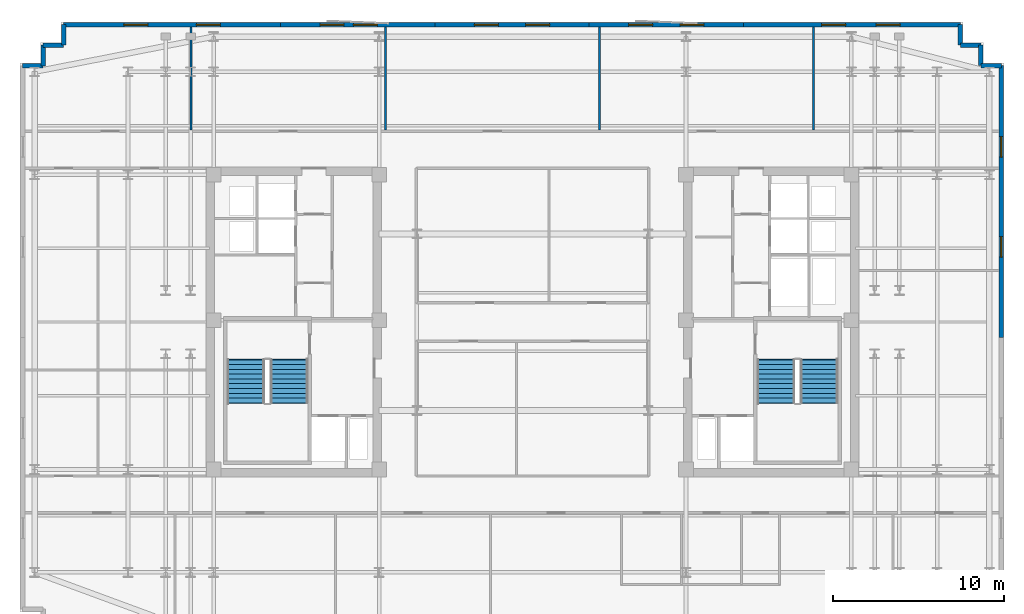
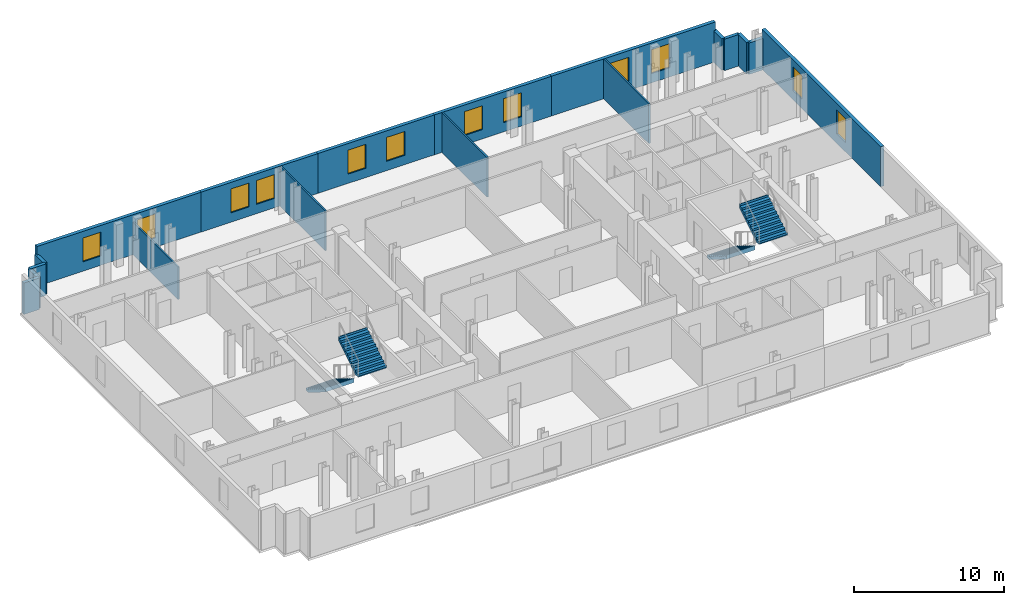
# One storey, part 7 of 9: 18 walls, 12 windows, 4 stair flights, 12 openings, 2 elements without a shape of their own.
"""IFC4 building model written with IfcOpenShell, lengths in metres."""

from ifc_helpers import new_model, si_unit, direction, frame, frame_2d, origin, place, context, subcontext, project, spatial, polyline, rectangle, outline, extrude, material, layer, layer_set, type_object, element, fill, aggregate, save


model = new_model("IFC4")

# Units and contexts
model_context = context("Model", 3, precision=1e-05, world=origin(), true_north=direction((0.0, 1.0)))
body_context = subcontext(model_context, "Body", "Model", "MODEL_VIEW")
ifc_project = project(units=[si_unit("LENGTHUNIT", "METRE"), si_unit("AREAUNIT", "SQUARE_METRE"), si_unit("VOLUMEUNIT", "CUBIC_METRE"), si_unit("PLANEANGLEUNIT", "RADIAN"), si_unit("MASSUNIT", "GRAM", prefix="KILO")], contexts=[model_context])

# Site, building, storey
site_placement = place(None, origin())
site = spatial("IfcSite", under=ifc_project, at=site_placement, CompositionType="ELEMENT")
building_placement = place(site_placement, origin())
building = spatial("IfcBuilding", under=site, at=building_placement, Name="Velakula Bourse", CompositionType="ELEMENT")
storey_placement = place(building_placement, frame((0.0, 0.0, 222.300048828125)))
storey = spatial("IfcBuildingStorey", under=building, at=storey_placement, Name="L60", CompositionType="ELEMENT", Elevation=222.300048828125)

# Wall, openings, windows
ifc_material_1 = material(Name="Buff kilned clay facing brick masonry", Category="masonry")
ifc_layer_1 = layer(ifc_material_1, 0.260009765625, Name="Buff kilned clay facing brick masonry", Category="masonry")
ifc_layer_set_1 = layer_set([ifc_layer_1], Name="Buff kilned clay facing brick masonry")
wall_type_1 = type_object("IfcWallType", Name="WL-EXT-BRK-260", PredefinedType="STANDARD", material=ifc_layer_set_1)
wall_1_placement = place(storey_placement, frame((-27.35009765625, 17.35009765625, 0.0), z_axis=(0.0, 0.0, 1.0), x_axis=(1.0, 0.0, 0.0)))
wall_1 = element("IfcWall", 1, at=wall_1_placement, inside=storey, type_object=wall_type_1, Name="L60 N Brick Spandrel Wall B1", PredefinedType="STANDARD", context=body_context, shape_type="SweptSolid", body=[
    extrude(rectangle(XDim=12.650146484375, YDim=0.260009765625, at=frame_2d((6.3251953125, 0.0))), origin(), (0.0, 0.0, 1.0), 3.25),
])
opening_1_placement = place(wall_1_placement, frame((3.5166015625, 0.0, 0.760009765625)))
opening_1 = element("IfcOpeningElement", 2, at=opening_1_placement, cuts=wall_1, Name="Opening W-03", PredefinedType="OPENING", context=body_context, shape_type="SweptSolid", body=[
    extrude(rectangle(XDim=1.39990234375, YDim=1.949951171875, at=frame_2d((0.699951171875, 0.97509765625))), frame((0.0, 0.139892578125, 0.0), z_axis=(0.0, -1.0, 0.0), x_axis=(1.0, 0.0, 0.0)), (0.0, 0.0, 1.0), 0.280029296875),
])
opening_2_placement = place(wall_1_placement, frame((7.7333984375, 0.0, 0.760009765625)))
opening_2 = element("IfcOpeningElement", 3, at=opening_2_placement, cuts=wall_1, Name="Opening W-03", PredefinedType="OPENING", context=body_context, shape_type="SweptSolid", body=[
    extrude(rectangle(XDim=1.39990234375, YDim=1.949951171875, at=frame_2d((0.699951171875, 0.97509765625))), frame((0.0, 0.139892578125, 0.0), z_axis=(0.0, -1.0, 0.0), x_axis=(1.0, 0.0, 0.0)), (0.0, 0.0, 1.0), 0.280029296875),
])
ifc_material_2 = material(Name="Double-glazed solar-control Low-E glass", Category="glass")
window_type_1 = type_object("IfcWindowType", Name="WIN-TWR-1400x2100", PartitioningType="SINGLE_PANEL", PredefinedType="WINDOW", material=ifc_material_2)
window_1_placement = place(opening_1_placement, origin())
window_1 = element("IfcWindow", 4, at=window_1_placement, inside=storey, type_object=window_type_1, Name="L60 Deep-Set Recessed Window 1", OverallHeight=1.949951171875, OverallWidth=1.39990234375, PartitioningType="SINGLE_PANEL", PredefinedType="WINDOW", context=body_context, shape_type="SweptSolid", body=[
    extrude(rectangle(XDim=1.39990234375, YDim=1.949951171875, at=frame_2d((0.699951171875, 0.97509765625))), frame((0.0, 0.030029296875, 0.0), z_axis=(0.0, -1.0, 0.0), x_axis=(1.0, 0.0, 0.0)), (0.0, 0.0, 1.0), 0.06005859375),
])
fill(opening_1, window_1)
window_2_placement = place(opening_2_placement, origin())
window_2 = element("IfcWindow", 5, at=window_2_placement, inside=storey, type_object=window_type_1, Name="L60 Deep-Set Recessed Window 2", OverallHeight=1.949951171875, OverallWidth=1.39990234375, PartitioningType="SINGLE_PANEL", PredefinedType="WINDOW", context=body_context, shape_type="SweptSolid", body=[
    extrude(rectangle(XDim=1.39990234375, YDim=1.949951171875, at=frame_2d((0.699951171875, 0.97509765625))), frame((0.0, 0.030029296875, 0.0), z_axis=(0.0, -1.0, 0.0), x_axis=(1.0, 0.0, 0.0)), (0.0, 0.0, 1.0), 0.06005859375),
])
fill(opening_2, window_2)

wall_2_placement = place(storey_placement, frame((-14.699951171875, 17.35009765625, 0.0), z_axis=(0.0, 0.0, 1.0), x_axis=(1.0, 0.0, 0.0)))
wall_2 = element("IfcWall", 6, at=wall_2_placement, inside=storey, type_object=wall_type_1, Name="L60 N Brick Spandrel Wall B2", PredefinedType="STANDARD", context=body_context, shape_type="SweptSolid", body=[
    extrude(rectangle(XDim=9.0, YDim=0.260009765625, at=frame_2d((4.5, 0.0))), origin(), (0.0, 0.0, 1.0), 3.25),
])
opening_3_placement = place(wall_2_placement, frame((2.300048828125, 0.0, 0.760009765625)))
opening_3 = element("IfcOpeningElement", 7, at=opening_3_placement, cuts=wall_2, Name="Opening W-03", PredefinedType="OPENING", context=body_context, shape_type="SweptSolid", body=[
    extrude(rectangle(XDim=1.39990234375, YDim=1.949951171875, at=frame_2d((0.699951171875, 0.97509765625))), frame((0.0, 0.139892578125, 0.0), z_axis=(0.0, -1.0, 0.0), x_axis=(1.0, 0.0, 0.0)), (0.0, 0.0, 1.0), 0.280029296875),
])
opening_4_placement = place(wall_2_placement, frame((4.25, 0.0, 0.760009765625)))
opening_4 = element("IfcOpeningElement", 8, at=opening_4_placement, cuts=wall_2, Name="Opening W-03", PredefinedType="OPENING", context=body_context, shape_type="SweptSolid", body=[
    extrude(rectangle(XDim=1.39990234375, YDim=1.949951171875, at=frame_2d((0.699951171875, 0.97509765625))), frame((0.0, 0.139892578125, 0.0), z_axis=(0.0, -1.0, 0.0), x_axis=(1.0, 0.0, 0.0)), (0.0, 0.0, 1.0), 0.280029296875),
])
window_3_placement = place(opening_3_placement, origin())
window_3 = element("IfcWindow", 9, at=window_3_placement, inside=storey, type_object=window_type_1, Name="L60 Deep-Set Recessed Window 1", OverallHeight=1.949951171875, OverallWidth=1.39990234375, PartitioningType="SINGLE_PANEL", PredefinedType="WINDOW", context=body_context, shape_type="SweptSolid", body=[
    extrude(rectangle(XDim=1.39990234375, YDim=1.949951171875, at=frame_2d((0.699951171875, 0.97509765625))), frame((0.0, 0.030029296875, 0.0), z_axis=(0.0, -1.0, 0.0), x_axis=(1.0, 0.0, 0.0)), (0.0, 0.0, 1.0), 0.06005859375),
])
fill(opening_3, window_3)
window_4_placement = place(opening_4_placement, origin())
window_4 = element("IfcWindow", 10, at=window_4_placement, inside=storey, type_object=window_type_1, Name="L60 Deep-Set Recessed Window 2", OverallHeight=1.949951171875, OverallWidth=1.39990234375, PartitioningType="SINGLE_PANEL", PredefinedType="WINDOW", context=body_context, shape_type="SweptSolid", body=[
    extrude(rectangle(XDim=1.39990234375, YDim=1.949951171875, at=frame_2d((0.699951171875, 0.97509765625))), frame((0.0, 0.030029296875, 0.0), z_axis=(0.0, -1.0, 0.0), x_axis=(1.0, 0.0, 0.0)), (0.0, 0.0, 1.0), 0.06005859375),
])
fill(opening_4, window_4)

wall_3_placement = place(storey_placement, frame((-5.699951171875, 17.35009765625, 0.0), z_axis=(0.0, 0.0, 1.0), x_axis=(1.0, 0.0, 0.0)))
wall_3 = element("IfcWall", 11, at=wall_3_placement, inside=storey, type_object=wall_type_1, Name="L60 N Brick Spandrel Wall B3", PredefinedType="STANDARD", context=body_context, shape_type="SweptSolid", body=[
    extrude(rectangle(XDim=9.0, YDim=0.260009765625, at=frame_2d((4.5, 0.0))), origin(), (0.0, 0.0, 1.0), 3.25),
])
opening_5_placement = place(wall_3_placement, frame((2.300048828125, 0.0, 0.760009765625)))
opening_5 = element("IfcOpeningElement", 12, at=opening_5_placement, cuts=wall_3, Name="Opening W-03", PredefinedType="OPENING", context=body_context, shape_type="SweptSolid", body=[
    extrude(rectangle(XDim=1.39990234375, YDim=1.949951171875, at=frame_2d((0.699951171875, 0.97509765625))), frame((0.0, 0.139892578125, 0.0), z_axis=(0.0, -1.0, 0.0), x_axis=(1.0, 0.0, 0.0)), (0.0, 0.0, 1.0), 0.280029296875),
])
opening_6_placement = place(wall_3_placement, frame((5.300048828125, 0.0, 0.760009765625)))
opening_6 = element("IfcOpeningElement", 13, at=opening_6_placement, cuts=wall_3, Name="Opening W-03", PredefinedType="OPENING", context=body_context, shape_type="SweptSolid", body=[
    extrude(rectangle(XDim=1.39990234375, YDim=1.949951171875, at=frame_2d((0.699951171875, 0.97509765625))), frame((0.0, 0.139892578125, 0.0), z_axis=(0.0, -1.0, 0.0), x_axis=(1.0, 0.0, 0.0)), (0.0, 0.0, 1.0), 0.280029296875),
])
window_5_placement = place(opening_5_placement, origin())
window_5 = element("IfcWindow", 14, at=window_5_placement, inside=storey, type_object=window_type_1, Name="L60 Deep-Set Recessed Window 1", OverallHeight=1.949951171875, OverallWidth=1.39990234375, PartitioningType="SINGLE_PANEL", PredefinedType="WINDOW", context=body_context, shape_type="SweptSolid", body=[
    extrude(rectangle(XDim=1.39990234375, YDim=1.949951171875, at=frame_2d((0.699951171875, 0.97509765625))), frame((0.0, 0.030029296875, 0.0), z_axis=(0.0, -1.0, 0.0), x_axis=(1.0, 0.0, 0.0)), (0.0, 0.0, 1.0), 0.06005859375),
])
fill(opening_5, window_5)
window_6_placement = place(opening_6_placement, origin())
window_6 = element("IfcWindow", 15, at=window_6_placement, inside=storey, type_object=window_type_1, Name="L60 Deep-Set Recessed Window 2", OverallHeight=1.949951171875, OverallWidth=1.39990234375, PartitioningType="SINGLE_PANEL", PredefinedType="WINDOW", context=body_context, shape_type="SweptSolid", body=[
    extrude(rectangle(XDim=1.39990234375, YDim=1.949951171875, at=frame_2d((0.699951171875, 0.97509765625))), frame((0.0, 0.030029296875, 0.0), z_axis=(0.0, -1.0, 0.0), x_axis=(1.0, 0.0, 0.0)), (0.0, 0.0, 1.0), 0.06005859375),
])
fill(opening_6, window_6)

wall_4_placement = place(storey_placement, frame((3.300048828125, 17.35009765625, 0.0), z_axis=(0.0, 0.0, 1.0), x_axis=(1.0, 0.0, 0.0)))
wall_4 = element("IfcWall", 16, at=wall_4_placement, inside=storey, type_object=wall_type_1, Name="L60 N Brick Spandrel Wall B4", PredefinedType="STANDARD", context=body_context, shape_type="SweptSolid", body=[
    extrude(rectangle(XDim=9.0, YDim=0.260009765625, at=frame_2d((4.5, 0.0))), origin(), (0.0, 0.0, 1.0), 3.25),
])
opening_7_placement = place(wall_4_placement, frame((2.300048828125, 0.0, 0.760009765625)))
opening_7 = element("IfcOpeningElement", 17, at=opening_7_placement, cuts=wall_4, Name="Opening W-03", PredefinedType="OPENING", context=body_context, shape_type="SweptSolid", body=[
    extrude(rectangle(XDim=1.39990234375, YDim=1.949951171875, at=frame_2d((0.699951171875, 0.97509765625))), frame((0.0, 0.139892578125, 0.0), z_axis=(0.0, -1.0, 0.0), x_axis=(1.0, 0.0, 0.0)), (0.0, 0.0, 1.0), 0.280029296875),
])
opening_8_placement = place(wall_4_placement, frame((5.300048828125, 0.0, 0.760009765625)))
opening_8 = element("IfcOpeningElement", 18, at=opening_8_placement, cuts=wall_4, Name="Opening W-03", PredefinedType="OPENING", context=body_context, shape_type="SweptSolid", body=[
    extrude(rectangle(XDim=1.39990234375, YDim=1.949951171875, at=frame_2d((0.699951171875, 0.97509765625))), frame((0.0, 0.139892578125, 0.0), z_axis=(0.0, -1.0, 0.0), x_axis=(1.0, 0.0, 0.0)), (0.0, 0.0, 1.0), 0.280029296875),
])
window_7_placement = place(opening_7_placement, origin())
window_7 = element("IfcWindow", 19, at=window_7_placement, inside=storey, type_object=window_type_1, Name="L60 Deep-Set Recessed Window 1", OverallHeight=1.949951171875, OverallWidth=1.39990234375, PartitioningType="SINGLE_PANEL", PredefinedType="WINDOW", context=body_context, shape_type="SweptSolid", body=[
    extrude(rectangle(XDim=1.39990234375, YDim=1.949951171875, at=frame_2d((0.699951171875, 0.97509765625))), frame((0.0, 0.030029296875, 0.0), z_axis=(0.0, -1.0, 0.0), x_axis=(1.0, 0.0, 0.0)), (0.0, 0.0, 1.0), 0.06005859375),
])
fill(opening_7, window_7)
window_8_placement = place(opening_8_placement, origin())
window_8 = element("IfcWindow", 20, at=window_8_placement, inside=storey, type_object=window_type_1, Name="L60 Deep-Set Recessed Window 2", OverallHeight=1.949951171875, OverallWidth=1.39990234375, PartitioningType="SINGLE_PANEL", PredefinedType="WINDOW", context=body_context, shape_type="SweptSolid", body=[
    extrude(rectangle(XDim=1.39990234375, YDim=1.949951171875, at=frame_2d((0.699951171875, 0.97509765625))), frame((0.0, 0.030029296875, 0.0), z_axis=(0.0, -1.0, 0.0), x_axis=(1.0, 0.0, 0.0)), (0.0, 0.0, 1.0), 0.06005859375),
])
fill(opening_8, window_8)

wall_5_placement = place(storey_placement, frame((12.300048828125, 17.35009765625, 0.0), z_axis=(0.0, 0.0, 1.0), x_axis=(1.0, 0.0, 0.0)))
wall_5 = element("IfcWall", 21, at=wall_5_placement, inside=storey, type_object=wall_type_1, Name="L60 N Brick Spandrel Wall B5", PredefinedType="STANDARD", context=body_context, shape_type="SweptSolid", body=[
    extrude(rectangle(XDim=12.64990234375, YDim=0.260009765625, at=frame_2d((6.324951171875, 0.0))), origin(), (0.0, 0.0, 1.0), 3.25),
])
opening_9_placement = place(wall_5_placement, frame((4.566650390625, 0.0, 0.760009765625)))
opening_9 = element("IfcOpeningElement", 22, at=opening_9_placement, cuts=wall_5, Name="Opening W-03", PredefinedType="OPENING", context=body_context, shape_type="SweptSolid", body=[
    extrude(rectangle(XDim=1.39990234375, YDim=1.949951171875, at=frame_2d((0.699951171875, 0.97509765625))), frame((0.0, 0.139892578125, 0.0), z_axis=(0.0, -1.0, 0.0), x_axis=(1.0, 0.0, 0.0)), (0.0, 0.0, 1.0), 0.280029296875),
])
opening_10_placement = place(wall_5_placement, frame((7.7333984375, 0.0, 0.760009765625)))
opening_10 = element("IfcOpeningElement", 23, at=opening_10_placement, cuts=wall_5, Name="Opening W-03", PredefinedType="OPENING", context=body_context, shape_type="SweptSolid", body=[
    extrude(rectangle(XDim=1.39990234375, YDim=1.949951171875, at=frame_2d((0.699951171875, 0.97509765625))), frame((0.0, 0.139892578125, 0.0), z_axis=(0.0, -1.0, 0.0), x_axis=(1.0, 0.0, 0.0)), (0.0, 0.0, 1.0), 0.280029296875),
])
window_9_placement = place(opening_9_placement, origin())
window_9 = element("IfcWindow", 24, at=window_9_placement, inside=storey, type_object=window_type_1, Name="L60 Deep-Set Recessed Window 1", OverallHeight=1.949951171875, OverallWidth=1.39990234375, PartitioningType="SINGLE_PANEL", PredefinedType="WINDOW", context=body_context, shape_type="SweptSolid", body=[
    extrude(rectangle(XDim=1.39990234375, YDim=1.949951171875, at=frame_2d((0.699951171875, 0.97509765625))), frame((0.0, 0.030029296875, 0.0), z_axis=(0.0, -1.0, 0.0), x_axis=(1.0, 0.0, 0.0)), (0.0, 0.0, 1.0), 0.06005859375),
])
fill(opening_9, window_9)
window_10_placement = place(opening_10_placement, origin())
window_10 = element("IfcWindow", 25, at=window_10_placement, inside=storey, type_object=window_type_1, Name="L60 Deep-Set Recessed Window 2", OverallHeight=1.949951171875, OverallWidth=1.39990234375, PartitioningType="SINGLE_PANEL", PredefinedType="WINDOW", context=body_context, shape_type="SweptSolid", body=[
    extrude(rectangle(XDim=1.39990234375, YDim=1.949951171875, at=frame_2d((0.699951171875, 0.97509765625))), frame((0.0, 0.030029296875, 0.0), z_axis=(0.0, -1.0, 0.0), x_axis=(1.0, 0.0, 0.0)), (0.0, 0.0, 1.0), 0.06005859375),
])
fill(opening_10, window_10)

wall_6_placement = place(storey_placement, frame((27.35009765625, 14.949951171875, 0.0), z_axis=(0.0, 0.0, 1.0), x_axis=(0.0, -1.0, 0.0)))
wall_6 = element("IfcWall", 26, at=wall_6_placement, inside=storey, type_object=wall_type_1, Name="L60 E Brick End Wall W2", PredefinedType="STANDARD", context=body_context, shape_type="SweptSolid", body=[
    extrude(rectangle(XDim=15.849853515625, YDim=0.260009765625, at=frame_2d((7.9248046875, 0.0))), origin(), (0.0, 0.0, 1.0), 3.25),
])
opening_11_placement = place(wall_6_placement, frame((4.13330078125, 0.0, 0.760009765625)))
opening_11 = element("IfcOpeningElement", 27, at=opening_11_placement, cuts=wall_6, Name="Opening W-04", PredefinedType="OPENING", context=body_context, shape_type="SweptSolid", body=[
    extrude(rectangle(XDim=1.199951171875, YDim=1.949951171875, at=frame_2d((0.60009765625, 0.97509765625))), frame((0.0, 0.139892578125, 0.0), z_axis=(0.0, -1.0, 0.0), x_axis=(1.0, 0.0, 0.0)), (0.0, 0.0, 1.0), 0.280029296875),
])
opening_12_placement = place(wall_6_placement, frame((9.966796875, 0.0, 0.760009765625)))
opening_12 = element("IfcOpeningElement", 28, at=opening_12_placement, cuts=wall_6, Name="Opening W-04", PredefinedType="OPENING", context=body_context, shape_type="SweptSolid", body=[
    extrude(rectangle(XDim=1.199951171875, YDim=1.949951171875, at=frame_2d((0.60009765625, 0.97509765625))), frame((0.0, 0.139892578125, 0.0), z_axis=(0.0, -1.0, 0.0), x_axis=(1.0, 0.0, 0.0)), (0.0, 0.0, 1.0), 0.280029296875),
])
window_type_2 = type_object("IfcWindowType", Name="WIN-TWR-1200x2100", PartitioningType="SINGLE_PANEL", PredefinedType="WINDOW", material=ifc_material_2)
window_11_placement = place(opening_11_placement, origin())
window_11 = element("IfcWindow", 29, at=window_11_placement, inside=storey, type_object=window_type_2, Name="L60 Deep-Set Recessed Window 1", OverallHeight=1.949951171875, OverallWidth=1.199951171875, PartitioningType="SINGLE_PANEL", PredefinedType="WINDOW", context=body_context, shape_type="SweptSolid", body=[
    extrude(rectangle(XDim=1.199951171875, YDim=1.949951171875, at=frame_2d((0.60009765625, 0.97509765625))), frame((0.0, 0.030029296875, 0.0), z_axis=(0.0, -1.0, 0.0), x_axis=(1.0, 0.0, 0.0)), (0.0, 0.0, 1.0), 0.06005859375),
])
fill(opening_11, window_11)
window_12_placement = place(opening_12_placement, origin())
window_12 = element("IfcWindow", 30, at=window_12_placement, inside=storey, type_object=window_type_2, Name="L60 Deep-Set Recessed Window 2", OverallHeight=1.949951171875, OverallWidth=1.199951171875, PartitioningType="SINGLE_PANEL", PredefinedType="WINDOW", context=body_context, shape_type="SweptSolid", body=[
    extrude(rectangle(XDim=1.199951171875, YDim=1.949951171875, at=frame_2d((0.60009765625, 0.97509765625))), frame((0.0, 0.030029296875, 0.0), z_axis=(0.0, -1.0, 0.0), x_axis=(1.0, 0.0, 0.0)), (0.0, 0.0, 1.0), 0.06005859375),
])
fill(opening_12, window_12)

# Walls
wall_7_placement = place(storey_placement, frame((27.35009765625, 14.949951171875, 0.0), z_axis=(0.0, 0.0, 1.0), x_axis=(-1.0, 0.0, 0.0)))
element("IfcWall", 31, at=wall_7_placement, inside=storey, type_object=wall_type_1, Name="L60 Serrated Corner Brick Wall NE-1", PredefinedType="STANDARD", context=body_context, shape_type="SweptSolid", body=[
    extrude(rectangle(XDim=1.2001953125, YDim=0.260009765625, at=frame_2d((0.60009765625, 0.0))), origin(), (0.0, 0.0, 1.0), 2.56494140625),
])
for number, where, z_axis, x_axis, name in (
    (32, (26.14990234375, 14.949951171875, 0.0), (0.0, 0.0, 1.0), (0.0, 1.0, 0.0), "L60 Serrated Corner Brick Wall NE-2"),
    (33, (26.14990234375, 16.14990234375, 0.0), (0.0, 0.0, 1.0), (-1.0, 0.0, 0.0), "L60 Serrated Corner Brick Wall NE-3"),
):
    element("IfcWall", number, at=place(storey_placement, frame(where, z_axis=z_axis, x_axis=x_axis)), inside=storey, type_object=wall_type_1, Name=name, PredefinedType="STANDARD", context=body_context, shape_type="SweptSolid", body=[
        extrude(rectangle(XDim=1.199951171875, YDim=0.260009765625, at=frame_2d((0.60009765625, 0.0))), origin(), (0.0, 0.0, 1.0), 2.56494140625),
    ])
for number, where, z_axis, x_axis, name in (
    (34, (24.949951171875, 16.14990234375, 0.0), (0.0, 0.0, 1.0), (0.0, 1.0, 0.0), "L60 Serrated Corner Brick Wall NE-4"),
    (35, (-27.35009765625, 17.35009765625, 0.0), (0.0, 0.0, 1.0), (0.0, -1.0, 0.0), "L60 Serrated Corner Brick Wall NW-1"),
):
    element("IfcWall", number, at=place(storey_placement, frame(where, z_axis=z_axis, x_axis=x_axis)), inside=storey, type_object=wall_type_1, Name=name, PredefinedType="STANDARD", context=body_context, shape_type="SweptSolid", body=[
        extrude(rectangle(XDim=1.2001953125, YDim=0.260009765625, at=frame_2d((0.60009765625, 0.0))), origin(), (0.0, 0.0, 1.0), 2.56494140625),
    ])
for number, where, z_axis, x_axis, name in (
    (36, (-27.35009765625, 16.14990234375, 0.0), (0.0, 0.0, 1.0), (-1.0, 0.0, 0.0), "L60 Serrated Corner Brick Wall NW-2"),
    (37, (-28.550048828125, 16.14990234375, 0.0), (0.0, 0.0, 1.0), (0.0, -1.0, 0.0), "L60 Serrated Corner Brick Wall NW-3"),
    (38, (-28.550048828125, 14.949951171875, 0.0), (0.0, 0.0, 1.0), (-1.0, 0.0, 0.0), "L60 Serrated Corner Brick Wall NW-4"),
):
    element("IfcWall", number, at=place(storey_placement, frame(where, z_axis=z_axis, x_axis=x_axis)), inside=storey, type_object=wall_type_1, Name=name, PredefinedType="STANDARD", context=body_context, shape_type="SweptSolid", body=[
        extrude(rectangle(XDim=1.199951171875, YDim=0.260009765625, at=frame_2d((0.60009765625, 0.0))), origin(), (0.0, 0.0, 1.0), 2.56494140625),
    ])
ifc_material_3 = material(Name="Fire-rated double-layer gypsum drywall partition", Category="gypsum")
ifc_layer_2 = layer(ifc_material_3, 0.1201171875, Name="Fire-rated double-layer gypsum drywall partition", Category="gypsum")
ifc_layer_set_2 = layer_set([ifc_layer_2], Name="Fire-rated double-layer gypsum drywall partition")
wall_type_2 = type_object("IfcWallType", Name="WL-PART-120", PredefinedType="STANDARD", material=ifc_layer_set_2)
wall_8_placement = place(storey_placement, frame((-19.91796875, 11.18994140625, 0.0), z_axis=(0.0, 0.0, 1.0), x_axis=(0.0, 1.0, 0.0)))
element("IfcWall", 39, at=wall_8_placement, inside=storey, type_object=wall_type_2, Name="L60 Interior Partition WL-INT-L60-N-D1", PredefinedType="STANDARD", context=body_context, shape_type="SweptSolid", body=[
    extrude(rectangle(XDim=6.030029296875, YDim=0.1201171875, at=frame_2d((3.01513671875, 0.0))), origin(), (0.0, 0.0, 1.0), 2.64501953125),
])
for number, where, z_axis, x_axis, name in (
    (40, (-8.573974609375, 11.18994140625, 0.0), (0.0, 0.0, 1.0), (0.0, 1.0, 0.0), "L60 Interior Partition WL-INT-L60-N-D2"),
    (41, (3.905029296875, 11.18994140625, 0.0), (0.0, 0.0, 1.0), (0.0, 1.0, 0.0), "L60 Interior Partition WL-INT-L60-N-D3"),
    (42, (16.383056640625, 11.18994140625, 0.0), (0.0, 0.0, 1.0), (0.0, 1.0, 0.0), "L60 Interior Partition WL-INT-L60-N-D4"),
):
    element("IfcWall", number, at=place(storey_placement, frame(where, z_axis=z_axis, x_axis=x_axis)), inside=storey, type_object=wall_type_2, Name=name, PredefinedType="STANDARD", context=body_context, shape_type="SweptSolid", body=[
        extrude(rectangle(XDim=6.030029296875, YDim=0.1201171875, at=frame_2d((3.01513671875, 0.0))), origin(), (0.0, 0.0, 1.0), 3.25),
    ])

# Stair, stair flights
ifc_material_4 = material(Name="Concrete M45 (fck 45 MPa)", Category="concrete")
stair_type = type_object("IfcStairType", Name="STR-DOG-390", PredefinedType="HALF_TURN_STAIR", material=ifc_material_4)
stair_1_placement = place(storey_placement, origin())
stair_1 = element("IfcStair", 43, at=stair_1_placement, inside=storey, type_object=stair_type, Name="L60 West Core Exit Stair ST-W1", PredefinedType="HALF_TURN_STAIR")
ifc_layer_3 = layer(ifc_material_4, 0.195068359375, Name="Concrete M45 (fck 45 MPa)", Category="concrete")
ifc_layer_set_3 = layer_set([ifc_layer_3], Name="Concrete M45 (fck 45 MPa)")
stair_flight_type = type_object("IfcStairFlightType", Name="FLT-DOG-390", PredefinedType="STRAIGHT", material=ifc_layer_set_3)
stair_flight_1_placement = place(storey_placement, frame((-16.720947265625, -2.199951171875, 0.0), z_axis=(0.0, 0.0, 1.0), x_axis=(0.0, -1.0, 0.0)))
stair_flight_1 = element("IfcStairFlight", 44, at=stair_flight_1_placement, type_object=stair_flight_type, Name="ST-W1 flight 1", NumberOfRisers=10, NumberOfTreads=9, PredefinedType="STRAIGHT", RiserHeight=0.1725, TreadLength=0.28, context=body_context, shape_type="SweptSolid", body=[
    extrude(outline(polyline([(-0.044921875, -0.0400390625), (-0.044921875, -0.036865234375), (-0.044921875, -0.033935546875), (-0.044921875, -0.03076171875), (-0.044921875, -0.027587890625), (-0.044921875, -0.024658203125), (-0.044921875, -0.021484375), (-0.044921875, -0.0185546875), (-0.044921875, -0.015380859375), (-0.044921875, -0.01220703125), (-0.044921875, -0.00927734375), (-0.044921875, -0.006103515625), (-0.044921875, -0.003173828125), (-0.044921875, 0.0), (0.0, 0.0), (0.0, 0.172607421875), (0.280029296875, 0.172607421875), (0.280029296875, 0.344970703125), (0.56005859375, 0.344970703125), (0.56005859375, 0.517578125), (0.840087890625, 0.517578125), (0.840087890625, 0.68994140625), (1.1201171875, 0.68994140625), (1.1201171875, 0.862548828125), (1.39990234375, 0.862548828125), (1.39990234375, 1.034912109375), (1.679931640625, 1.034912109375), (1.679931640625, 1.20751953125), (1.9599609375, 1.20751953125), (1.9599609375, 1.3798828125), (2.239990234375, 1.3798828125), (2.239990234375, 1.552490234375), (2.52001953125, 1.552490234375), (2.52001953125, 1.72509765625), (2.56494140625, 1.72509765625), (2.56494140625, 1.7001953125), (2.56494140625, 1.67529296875), (2.56494140625, 1.650390625), (2.56494140625, 1.62548828125), (2.56494140625, 1.6005859375), (2.56494140625, 1.57568359375), (2.56494140625, 1.55078125), (2.56494140625, 1.52587890625), (2.56494140625, 1.5009765625), (2.56494140625, 1.47607421875), (2.56494140625, 1.451171875), (2.56494140625, 1.42626953125), (2.56494140625, 1.4013671875), (2.56494140625, 1.37646484375), (0.285888671875, -0.0400390625), (-0.044921875, -0.0400390625)])), frame((0.0, 1.09912109375, 0.0), z_axis=(0.0, -1.0, 0.0), x_axis=(1.0, 0.0, 0.0)), (0.0, 0.0, 1.0), 2.197998046875),
])
stair_flight_2_placement = place(storey_placement, frame((-14.198974609375, -4.719970703125, 1.724853515625), z_axis=(0.0, 0.0, 1.0), x_axis=(0.0, 1.0, 0.0)))
stair_flight_2 = element("IfcStairFlight", 45, at=stair_flight_2_placement, type_object=stair_flight_type, Name="ST-W1 flight 2", NumberOfRisers=10, NumberOfTreads=9, PredefinedType="STRAIGHT", RiserHeight=0.1725, TreadLength=0.28, context=body_context, shape_type="SweptSolid", body=[
    extrude(outline(polyline([(-0.044921875, -0.0400390625), (-0.044921875, -0.036865234375), (-0.044921875, -0.033935546875), (-0.044921875, -0.03076171875), (-0.044921875, -0.027587890625), (-0.044921875, -0.024658203125), (-0.044921875, -0.021484375), (-0.044921875, -0.0185546875), (-0.044921875, -0.015380859375), (-0.044921875, -0.01220703125), (-0.044921875, -0.00927734375), (-0.044921875, -0.006103515625), (-0.044921875, -0.003173828125), (-0.044921875, 0.0), (0.0, 0.0), (0.0, 0.172607421875), (0.280029296875, 0.172607421875), (0.280029296875, 0.344970703125), (0.56005859375, 0.344970703125), (0.56005859375, 0.517578125), (0.840087890625, 0.517578125), (0.840087890625, 0.68994140625), (1.1201171875, 0.68994140625), (1.1201171875, 0.862548828125), (1.39990234375, 0.862548828125), (1.39990234375, 1.034912109375), (1.679931640625, 1.034912109375), (1.679931640625, 1.20751953125), (1.9599609375, 1.20751953125), (1.9599609375, 1.3798828125), (2.239990234375, 1.3798828125), (2.239990234375, 1.552490234375), (2.52001953125, 1.552490234375), (2.52001953125, 1.72509765625), (2.56494140625, 1.72509765625), (2.56494140625, 1.7001953125), (2.56494140625, 1.67529296875), (2.56494140625, 1.650390625), (2.56494140625, 1.62548828125), (2.56494140625, 1.6005859375), (2.56494140625, 1.57568359375), (2.56494140625, 1.55078125), (2.56494140625, 1.52587890625), (2.56494140625, 1.5009765625), (2.56494140625, 1.47607421875), (2.56494140625, 1.451171875), (2.56494140625, 1.42626953125), (2.56494140625, 1.4013671875), (2.56494140625, 1.37646484375), (0.285888671875, -0.0400390625), (-0.044921875, -0.0400390625)])), frame((0.0, 1.09912109375, 0.0), z_axis=(0.0, -1.0, 0.0), x_axis=(1.0, 0.0, 0.0)), (0.0, 0.0, 1.0), 2.197998046875),
])
aggregate(stair_1, [stair_flight_1, stair_flight_2])

stair_2_placement = place(storey_placement, origin())
stair_2 = element("IfcStair", 46, at=stair_2_placement, inside=storey, type_object=stair_type, Name="L60 East Core Exit Stair ST-E1", PredefinedType="HALF_TURN_STAIR")
stair_flight_3_placement = place(storey_placement, frame((14.198974609375, -2.199951171875, 0.0), z_axis=(0.0, 0.0, 1.0), x_axis=(0.0, -1.0, 0.0)))
stair_flight_3 = element("IfcStairFlight", 47, at=stair_flight_3_placement, type_object=stair_flight_type, Name="ST-E1 flight 1", NumberOfRisers=10, NumberOfTreads=9, PredefinedType="STRAIGHT", RiserHeight=0.1725, TreadLength=0.28, context=body_context, shape_type="SweptSolid", body=[
    extrude(outline(polyline([(-0.044921875, -0.0400390625), (-0.044921875, -0.036865234375), (-0.044921875, -0.033935546875), (-0.044921875, -0.03076171875), (-0.044921875, -0.027587890625), (-0.044921875, -0.024658203125), (-0.044921875, -0.021484375), (-0.044921875, -0.0185546875), (-0.044921875, -0.015380859375), (-0.044921875, -0.01220703125), (-0.044921875, -0.00927734375), (-0.044921875, -0.006103515625), (-0.044921875, -0.003173828125), (-0.044921875, 0.0), (0.0, 0.0), (0.0, 0.172607421875), (0.280029296875, 0.172607421875), (0.280029296875, 0.344970703125), (0.56005859375, 0.344970703125), (0.56005859375, 0.517578125), (0.840087890625, 0.517578125), (0.840087890625, 0.68994140625), (1.1201171875, 0.68994140625), (1.1201171875, 0.862548828125), (1.39990234375, 0.862548828125), (1.39990234375, 1.034912109375), (1.679931640625, 1.034912109375), (1.679931640625, 1.20751953125), (1.9599609375, 1.20751953125), (1.9599609375, 1.3798828125), (2.239990234375, 1.3798828125), (2.239990234375, 1.552490234375), (2.52001953125, 1.552490234375), (2.52001953125, 1.72509765625), (2.56494140625, 1.72509765625), (2.56494140625, 1.7001953125), (2.56494140625, 1.67529296875), (2.56494140625, 1.650390625), (2.56494140625, 1.62548828125), (2.56494140625, 1.6005859375), (2.56494140625, 1.57568359375), (2.56494140625, 1.55078125), (2.56494140625, 1.52587890625), (2.56494140625, 1.5009765625), (2.56494140625, 1.47607421875), (2.56494140625, 1.451171875), (2.56494140625, 1.42626953125), (2.56494140625, 1.4013671875), (2.56494140625, 1.37646484375), (0.285888671875, -0.0400390625), (-0.044921875, -0.0400390625)])), frame((0.0, 1.09912109375, 0.0), z_axis=(0.0, -1.0, 0.0), x_axis=(1.0, 0.0, 0.0)), (0.0, 0.0, 1.0), 2.197998046875),
])
stair_flight_4_placement = place(storey_placement, frame((16.720947265625, -4.719970703125, 1.724853515625), z_axis=(0.0, 0.0, 1.0), x_axis=(0.0, 1.0, 0.0)))
stair_flight_4 = element("IfcStairFlight", 48, at=stair_flight_4_placement, type_object=stair_flight_type, Name="ST-E1 flight 2", NumberOfRisers=10, NumberOfTreads=9, PredefinedType="STRAIGHT", RiserHeight=0.1725, TreadLength=0.28, context=body_context, shape_type="SweptSolid", body=[
    extrude(outline(polyline([(-0.044921875, -0.0400390625), (-0.044921875, -0.036865234375), (-0.044921875, -0.033935546875), (-0.044921875, -0.03076171875), (-0.044921875, -0.027587890625), (-0.044921875, -0.024658203125), (-0.044921875, -0.021484375), (-0.044921875, -0.0185546875), (-0.044921875, -0.015380859375), (-0.044921875, -0.01220703125), (-0.044921875, -0.00927734375), (-0.044921875, -0.006103515625), (-0.044921875, -0.003173828125), (-0.044921875, 0.0), (0.0, 0.0), (0.0, 0.172607421875), (0.280029296875, 0.172607421875), (0.280029296875, 0.344970703125), (0.56005859375, 0.344970703125), (0.56005859375, 0.517578125), (0.840087890625, 0.517578125), (0.840087890625, 0.68994140625), (1.1201171875, 0.68994140625), (1.1201171875, 0.862548828125), (1.39990234375, 0.862548828125), (1.39990234375, 1.034912109375), (1.679931640625, 1.034912109375), (1.679931640625, 1.20751953125), (1.9599609375, 1.20751953125), (1.9599609375, 1.3798828125), (2.239990234375, 1.3798828125), (2.239990234375, 1.552490234375), (2.52001953125, 1.552490234375), (2.52001953125, 1.72509765625), (2.56494140625, 1.72509765625), (2.56494140625, 1.7001953125), (2.56494140625, 1.67529296875), (2.56494140625, 1.650390625), (2.56494140625, 1.62548828125), (2.56494140625, 1.6005859375), (2.56494140625, 1.57568359375), (2.56494140625, 1.55078125), (2.56494140625, 1.52587890625), (2.56494140625, 1.5009765625), (2.56494140625, 1.47607421875), (2.56494140625, 1.451171875), (2.56494140625, 1.42626953125), (2.56494140625, 1.4013671875), (2.56494140625, 1.37646484375), (0.285888671875, -0.0400390625), (-0.044921875, -0.0400390625)])), frame((0.0, 1.09912109375, 0.0), z_axis=(0.0, -1.0, 0.0), x_axis=(1.0, 0.0, 0.0)), (0.0, 0.0, 1.0), 2.197998046875),
])
aggregate(stair_2, [stair_flight_3, stair_flight_4])

save(model, "model.ifc")
